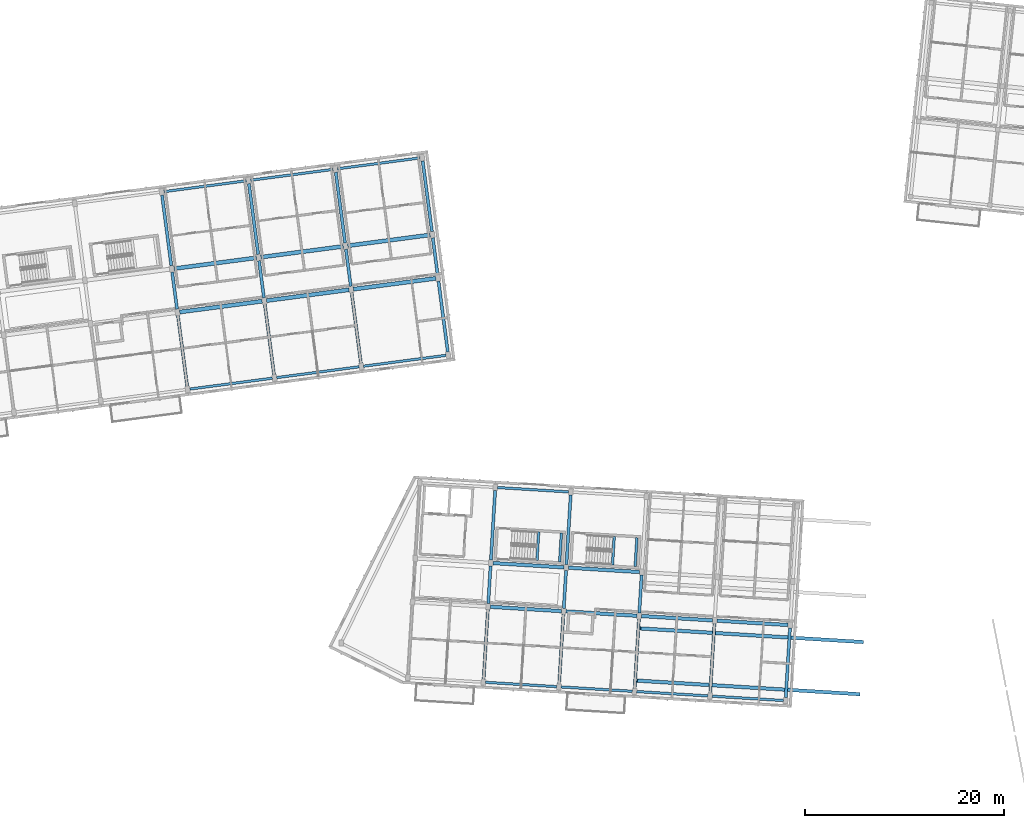
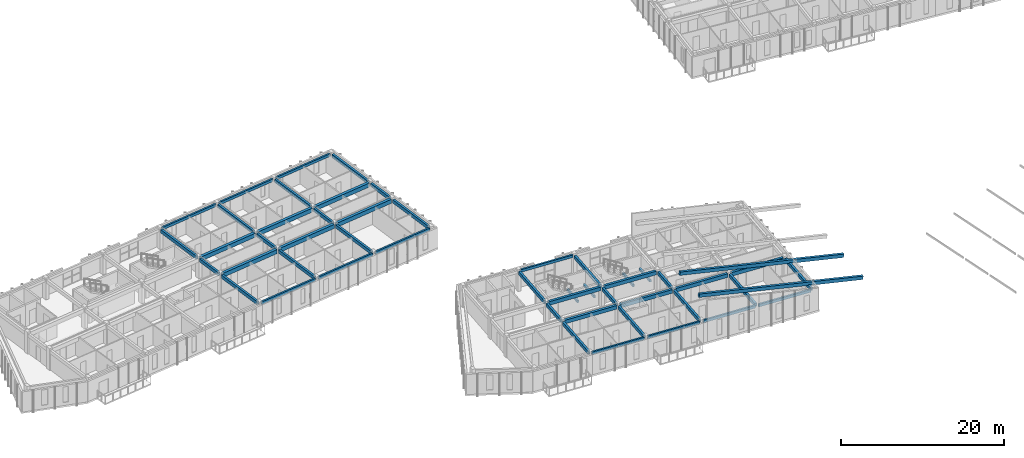
# One storey, part 7 of 56: 51 beams.
"""IFC4 building model written with IfcOpenShell, lengths in metres."""

from ifc_helpers import new_model, si_unit, direction, frame, origin, origin_2d, place, context, subcontext, project, spatial, rectangle, extrude, material, material_profile, profile_set, type_object, element, save


model = new_model("IFC4")

# Units and contexts
model_context = context("Model", 3, precision=1e-05, world=origin(), true_north=direction((0.0, 1.0)))
body_context = subcontext(model_context, "Body", "Model", "MODEL_VIEW")
ifc_project = project(units=[si_unit("LENGTHUNIT", "METRE"), si_unit("AREAUNIT", "SQUARE_METRE"), si_unit("VOLUMEUNIT", "CUBIC_METRE"), si_unit("PLANEANGLEUNIT", "RADIAN"), si_unit("MASSUNIT", "GRAM", prefix="KILO")], contexts=[model_context])

# Site, building, storey
site_placement = place(None, origin())
site = spatial("IfcSite", under=ifc_project, at=site_placement, CompositionType="ELEMENT")
building_placement = place(site_placement, origin())
building = spatial("IfcBuilding", under=site, at=building_placement, Name="Kestramere Prow Commons", CompositionType="ELEMENT")
storey_placement = place(building_placement, frame((0.0, 0.0, 27.89990234375)))
storey = spatial("IfcBuildingStorey", under=building, at=storey_placement, Name="L08", CompositionType="ELEMENT", Elevation=27.89990234375)

# Beams
ifc_material_1 = material(Name="Precast concrete C40/50", Category="concrete")
ifc_material_profile_1 = material_profile(ifc_material_1, rectangle(XDim=0.39990234375, YDim=0.60009765625, at=origin_2d()), Name="PC-BM 400x600")
ifc_profile_set_1 = profile_set([ifc_material_profile_1], Name="Precast concrete C40/50")
beam_type_1 = type_object("IfcBeamType", Name="BM-A1 PC-BM 400x600", PredefinedType="BEAM", material=ifc_profile_set_1)
for number, where, z_axis, x_axis, name in (
    (1, (36.5791015625, 83.20849609375, 2.7001953125), (0.991445635283, 0.13052031366, 0.0), (-0.13052031366, 0.991445635283, 0.0), "Block A L08 Longitudinal Beam 2-4"),
    (2, (45.3037109375, 84.357177734375, 2.7001953125), (0.991445635283, 0.13052031366, 0.0), (-0.13052031366, 0.991445635283, 0.0), "Block A L08 Longitudinal Beam 2-5"),
    (3, (54.028564453125, 85.505859375, 2.7001953125), (0.991445635283, 0.13052031366, 0.0), (-0.13052031366, 0.991445635283, 0.0), "Block A L08 Longitudinal Beam 2-6"),
    (4, (36.0048828125, 87.57080078125, 2.7001953125), (0.991441851318, 0.130549053825, 0.0), (-0.130549053825, 0.991441851318, 0.0), "Block A L08 Longitudinal Beam 3-4"),
    (5, (44.7294921875, 88.719482421875, 2.7001953125), (0.991445635283, 0.13052031366, 0.0), (-0.13052031366, 0.991445635283, 0.0), "Block A L08 Longitudinal Beam 3-5"),
    (6, (53.454345703125, 89.8681640625, 2.7001953125), (0.991445635283, 0.13052031366, 0.0), (-0.13052031366, 0.991445635283, 0.0), "Block A L08 Longitudinal Beam 3-6"),
):
    element("IfcBeam", number, at=place(storey_placement, frame(where, z_axis=z_axis, x_axis=x_axis)), inside=storey, type_object=beam_type_1, Name=name, PredefinedType="BEAM", context=body_context, shape_type="SweptSolid", body=[
        extrude(rectangle(XDim=0.39990234375, YDim=0.60009765625, at=origin_2d()), origin(), (0.0, 0.0, 1.0), 8.35009765625),
    ])
ifc_material_profile_2 = material_profile(ifc_material_1, rectangle(XDim=0.35009765625, YDim=0.550048828125, at=origin_2d()), Name="PC-BM 350x550")
ifc_profile_set_2 = profile_set([ifc_material_profile_2], Name="Precast concrete C40/50")
beam_type_2 = type_object("IfcBeamType", Name="BM-C1 PC-BM 350x550", PredefinedType="BEAM", material=ifc_profile_set_2)
for number, where, z_axis, x_axis, name in (
    (7, (67.7744140625, 53.608154296875, 2.72509765625), (0.998134602239, -0.061051747017, 0.0), (0.061051747017, 0.998134602239, 0.0), "Block C L08 Longitudinal Beam 2-2"),
    (8, (75.360107421875, 53.14404296875, 2.72509765625), (0.998136682403, -0.061017728909, 0.0), (0.061017728909, 0.998136682403, 0.0), "Block C L08 Longitudinal Beam 2-3"),
    (9, (82.946044921875, 52.68017578125, 2.72509765625), (0.998134602239, -0.061051747017, 0.0), (0.061051747017, 0.998134602239, 0.0), "Block C L08 Longitudinal Beam 2-4"),
    (10, (90.53173828125, 52.21630859375, 2.72509765625), (0.998134602239, -0.061051747017, 0.0), (0.061051747017, 0.998134602239, 0.0), "Block C L08 Longitudinal Beam 2-5"),
    (11, (68.04296875, 58.0, 2.72509765625), (0.998134602239, -0.061051747017, 0.0), (0.061051747017, 0.998134602239, 0.0), "Block C L08 Longitudinal Beam 3-2"),
):
    element("IfcBeam", number, at=place(storey_placement, frame(where, z_axis=z_axis, x_axis=x_axis)), inside=storey, type_object=beam_type_2, Name=name, PredefinedType="BEAM", context=body_context, shape_type="SweptSolid", body=[
        extrude(rectangle(XDim=0.35009765625, YDim=0.550048828125, at=origin_2d()), origin(), (0.0, 0.0, 1.0), 7.150146484375),
    ])
beam_1_placement = place(storey_placement, frame((75.62890625, 57.535888671875, 2.72509765625), z_axis=(0.998134474962, -0.061053827828, 0.0), x_axis=(0.061053827828, 0.998134474962, 0.0)))
element("IfcBeam", 12, at=beam_1_placement, inside=storey, type_object=beam_type_2, Name="Block C L08 Longitudinal Beam 3-3", PredefinedType="BEAM", context=body_context, shape_type="SweptSolid", body=[
    extrude(rectangle(XDim=0.35009765625, YDim=0.550048828125, at=origin_2d()), origin(), (0.0, 0.0, 1.0), 7.14990234375),
])
ifc_material_2 = material(Name="Concrete C40/50", Category="concrete")
ifc_material_profile_3 = material_profile(ifc_material_2, rectangle(XDim=0.25, YDim=0.35009765625, at=origin_2d()), Name="PC-BM 250x350")
ifc_profile_set_3 = profile_set([ifc_material_profile_3], Name="Concrete C40/50")
beam_type_3 = type_object("IfcBeamType", Name="BM-ST-TRIM", PredefinedType="BEAM", material=ifc_profile_set_3)
for number, where, z_axis, x_axis, name in (
    (13, (72.462158203125, 58.260498046875, 1.25), (0.061073995712, 0.99813324113, 0.0), (-0.99813324113, 0.061073995712, 0.0), "ST-C1 L08 Landing Trimmer Beam 1A"),
    (14, (74.73779296875, 58.121337890625, 1.25), (0.061073995712, 0.99813324113, 0.0), (-0.99813324113, 0.061073995712, 0.0), "ST-C1 L08 Landing Trimmer Beam 1B"),
):
    element("IfcBeam", number, at=place(storey_placement, frame(where, z_axis=z_axis, x_axis=x_axis)), inside=storey, type_object=beam_type_3, Name=name, PredefinedType="BEAM", context=body_context, shape_type="SweptSolid", body=[
        extrude(rectangle(XDim=0.25, YDim=0.35009765625, at=origin_2d()), origin(), (0.0, 0.0, 1.0), 2.89013671875),
    ])
for number, where, z_axis, x_axis, name in (
    (15, (80.0478515625, 57.796630859375, 1.25), (0.06107914562, 0.998132926003, 0.0), (-0.998132926003, 0.06107914562, 0.0), "ST-C2 L08 Landing Trimmer Beam 1A"),
    (16, (82.32373046875, 57.657470703125, 1.25), (0.06107914562, 0.998132926003, 0.0), (-0.998132926003, 0.06107914562, 0.0), "ST-C2 L08 Landing Trimmer Beam 1B"),
):
    element("IfcBeam", number, at=place(storey_placement, frame(where, z_axis=z_axis, x_axis=x_axis)), inside=storey, type_object=beam_type_3, Name=name, PredefinedType="BEAM", context=body_context, shape_type="SweptSolid", body=[
        extrude(rectangle(XDim=0.25, YDim=0.35009765625, at=origin_2d()), origin(), (0.0, 0.0, 1.0), 2.889892578125),
    ])
ifc_material_profile_4 = material_profile(ifc_material_1, rectangle(XDim=0.300048828125, YDim=0.5, at=origin_2d()), Name="PC-BM 300x500")
ifc_profile_set_4 = profile_set([ifc_material_profile_4], Name="Precast concrete C40/50")
beam_type_4 = type_object("IfcBeamType", Name="BM-TIE-01 PC-BM 300x500", PredefinedType="BEAM", material=ifc_profile_set_4)
beam_2_placement = place(storey_placement, frame((37.331787109375, 75.76806640625, 2.75), z_axis=(-0.130537539388, 0.991443367425, 0.0), x_axis=(-0.991443367425, -0.130537539388, 0.0)))
element("IfcBeam", 17, at=beam_2_placement, inside=storey, type_object=beam_type_4, Name="Block A L08 Transverse Beam 4-1", PredefinedType="BEAM", context=body_context, shape_type="SweptSolid", body=[
    extrude(rectangle(XDim=0.300048828125, YDim=0.5, at=origin_2d()), origin(), (0.0, 0.0, 1.0), 7.150146484375),
])
beam_3_placement = place(storey_placement, frame((36.313720703125, 83.50146484375, 2.75), z_axis=(-0.130538720766, 0.991443211879, 0.0), x_axis=(-0.991443211879, -0.130538720766, 0.0)))
element("IfcBeam", 18, at=beam_3_placement, inside=storey, type_object=beam_type_4, Name="Block A L08 Transverse Beam 4-2", PredefinedType="BEAM", context=body_context, shape_type="SweptSolid", body=[
    extrude(rectangle(XDim=0.300048828125, YDim=0.5, at=origin_2d()), origin(), (0.0, 0.0, 1.0), 3.749755859375),
])
for number, where, z_axis, x_axis, name in (
    (19, (35.7392578125, 87.86376953125, 2.75), (-0.130503975686, 0.991447785983, 0.0), (-0.991447785983, -0.130503975686, 0.0), "Block A L08 Transverse Beam 4-3"),
    (20, (46.056396484375, 76.916748046875, 2.75), (-0.130503975686, 0.991447785983, 0.0), (-0.991447785983, -0.130503975686, 0.0), "Block A L08 Transverse Beam 5-1"),
):
    element("IfcBeam", number, at=place(storey_placement, frame(where, z_axis=z_axis, x_axis=x_axis)), inside=storey, type_object=beam_type_4, Name=name, PredefinedType="BEAM", context=body_context, shape_type="SweptSolid", body=[
        extrude(rectangle(XDim=0.300048828125, YDim=0.5, at=origin_2d()), origin(), (0.0, 0.0, 1.0), 7.14990234375),
    ])
beam_4_placement = place(storey_placement, frame((45.038330078125, 84.64990234375, 2.75), z_axis=(-0.130530295097, 0.991444321211, 0.0), x_axis=(-0.991444321211, -0.130530295097, 0.0)))
element("IfcBeam", 21, at=beam_4_placement, inside=storey, type_object=beam_type_4, Name="Block A L08 Transverse Beam 5-2", PredefinedType="BEAM", context=body_context, shape_type="SweptSolid", body=[
    extrude(rectangle(XDim=0.300048828125, YDim=0.5, at=origin_2d()), origin(), (0.0, 0.0, 1.0), 3.75),
])
for number, where, z_axis, x_axis, name in (
    (22, (44.464111328125, 89.012451171875, 2.75), (-0.130537539388, 0.991443367425, 0.0), (-0.991443367425, -0.130537539388, 0.0), "Block A L08 Transverse Beam 5-3"),
    (23, (54.78125, 78.0654296875, 2.75), (-0.130537539388, 0.991443367425, 0.0), (-0.991443367425, -0.130537539388, 0.0), "Block A L08 Transverse Beam 6-1"),
):
    element("IfcBeam", number, at=place(storey_placement, frame(where, z_axis=z_axis, x_axis=x_axis)), inside=storey, type_object=beam_type_4, Name=name, PredefinedType="BEAM", context=body_context, shape_type="SweptSolid", body=[
        extrude(rectangle(XDim=0.300048828125, YDim=0.5, at=origin_2d()), origin(), (0.0, 0.0, 1.0), 7.150146484375),
    ])
beam_5_placement = place(storey_placement, frame((53.762939453125, 85.798583984375, 2.75), z_axis=(-0.130466301114, 0.991452744347, 0.0), x_axis=(-0.991452744347, -0.130466301114, 0.0)))
element("IfcBeam", 24, at=beam_5_placement, inside=storey, type_object=beam_type_4, Name="Block A L08 Transverse Beam 6-2", PredefinedType="BEAM", context=body_context, shape_type="SweptSolid", body=[
    extrude(rectangle(XDim=0.300048828125, YDim=0.5, at=origin_2d()), origin(), (0.0, 0.0, 1.0), 3.75),
])
beam_6_placement = place(storey_placement, frame((53.188720703125, 90.160888671875, 2.75), z_axis=(-0.130537539388, 0.991443367425, 0.0), x_axis=(-0.991443367425, -0.130537539388, 0.0)))
element("IfcBeam", 25, at=beam_6_placement, inside=storey, type_object=beam_type_4, Name="Block A L08 Transverse Beam 6-3", PredefinedType="BEAM", context=body_context, shape_type="SweptSolid", body=[
    extrude(rectangle(XDim=0.300048828125, YDim=0.5, at=origin_2d()), origin(), (0.0, 0.0, 1.0), 7.150146484375),
])
beam_7_placement = place(storey_placement, frame((63.505859375, 79.214111328125, 2.75), z_axis=(-0.130541958643, 0.991442785557, 0.0), x_axis=(-0.991442785557, -0.130541958643, 0.0)))
element("IfcBeam", 26, at=beam_7_placement, inside=storey, type_object=beam_type_4, Name="Block A L08 Transverse Beam 7-1", PredefinedType="BEAM", context=body_context, shape_type="SweptSolid", body=[
    extrude(rectangle(XDim=0.300048828125, YDim=0.5, at=origin_2d()), origin(), (0.0, 0.0, 1.0), 7.14990234375),
])
beam_8_placement = place(storey_placement, frame((62.48779296875, 86.947265625, 2.75), z_axis=(-0.130530295097, 0.991444321211, 0.0), x_axis=(-0.991444321211, -0.130530295097, 0.0)))
element("IfcBeam", 27, at=beam_8_placement, inside=storey, type_object=beam_type_4, Name="Block A L08 Transverse Beam 7-2", PredefinedType="BEAM", context=body_context, shape_type="SweptSolid", body=[
    extrude(rectangle(XDim=0.300048828125, YDim=0.5, at=origin_2d()), origin(), (0.0, 0.0, 1.0), 3.75),
])
beam_9_placement = place(storey_placement, frame((61.913330078125, 91.3095703125, 2.75), z_axis=(-0.130503975686, 0.991447785983, 0.0), x_axis=(-0.991447785983, -0.130503975686, 0.0)))
element("IfcBeam", 28, at=beam_9_placement, inside=storey, type_object=beam_type_4, Name="Block A L08 Transverse Beam 7-3", PredefinedType="BEAM", context=body_context, shape_type="SweptSolid", body=[
    extrude(rectangle(XDim=0.300048828125, YDim=0.5, at=origin_2d()), origin(), (0.0, 0.0, 1.0), 7.14990234375),
])
beam_10_placement = place(storey_placement, frame((67.104248046875, 46.33544921875, 2.75), z_axis=(0.061034188237, 0.998135676081, 0.0), x_axis=(-0.998135676081, 0.061034188237, 0.0)))
element("IfcBeam", 29, at=beam_10_placement, inside=storey, type_object=beam_type_4, Name="Block C L08 Transverse Beam 2-1", PredefinedType="BEAM", context=body_context, shape_type="SweptSolid", body=[
    extrude(rectangle(XDim=0.300048828125, YDim=0.5, at=origin_2d()), origin(), (0.0, 0.0, 1.0), 7.0),
])
beam_11_placement = place(storey_placement, frame((67.568115234375, 53.92138671875, 2.75), z_axis=(0.061038214251, 0.99813542989, 0.0), x_axis=(-0.99813542989, 0.061038214251, 0.0)))
element("IfcBeam", 30, at=beam_11_placement, inside=storey, type_object=beam_type_4, Name="Block C L08 Transverse Beam 2-2", PredefinedType="BEAM", context=body_context, shape_type="SweptSolid", body=[
    extrude(rectangle(XDim=0.300048828125, YDim=0.5, at=origin_2d()), origin(), (0.0, 0.0, 1.0), 3.7998046875),
])
beam_12_placement = place(storey_placement, frame((67.836669921875, 58.31298828125, 2.75), z_axis=(0.061068934883, 0.99813355078, 0.0), x_axis=(-0.99813355078, 0.061068934883, 0.0)))
element("IfcBeam", 31, at=beam_12_placement, inside=storey, type_object=beam_type_4, Name="Block C L08 Transverse Beam 2-3", PredefinedType="BEAM", context=body_context, shape_type="SweptSolid", body=[
    extrude(rectangle(XDim=0.300048828125, YDim=0.5, at=origin_2d()), origin(), (0.0, 0.0, 1.0), 7.000244140625),
])
beam_13_placement = place(storey_placement, frame((74.68994140625, 45.87158203125, 2.75), z_axis=(0.061036313012, 0.998135546153, 0.0), x_axis=(-0.998135546153, 0.061036313012, 0.0)))
element("IfcBeam", 32, at=beam_13_placement, inside=storey, type_object=beam_type_4, Name="Block C L08 Transverse Beam 3-1", PredefinedType="BEAM", context=body_context, shape_type="SweptSolid", body=[
    extrude(rectangle(XDim=0.300048828125, YDim=0.5, at=origin_2d()), origin(), (0.0, 0.0, 1.0), 6.999755859375),
])
beam_14_placement = place(storey_placement, frame((75.154052734375, 53.457275390625, 2.75), z_axis=(0.061034300063, 0.998135669243, 0.0), x_axis=(-0.998135669243, 0.061034300063, 0.0)))
element("IfcBeam", 33, at=beam_14_placement, inside=storey, type_object=beam_type_4, Name="Block C L08 Transverse Beam 3-2", PredefinedType="BEAM", context=body_context, shape_type="SweptSolid", body=[
    extrude(rectangle(XDim=0.300048828125, YDim=0.5, at=origin_2d()), origin(), (0.0, 0.0, 1.0), 3.800048828125),
])
for number, where, z_axis, x_axis, name in (
    (34, (75.422607421875, 57.84912109375, 2.75), (0.061034188237, 0.998135676081, 0.0), (-0.998135676081, 0.061034188237, 0.0), "Block C L08 Transverse Beam 3-3"),
    (35, (82.27587890625, 45.407470703125, 2.75), (0.061034188237, 0.998135676081, 0.0), (-0.998135676081, 0.061034188237, 0.0), "Block C L08 Transverse Beam 4-1"),
):
    element("IfcBeam", number, at=place(storey_placement, frame(where, z_axis=z_axis, x_axis=x_axis)), inside=storey, type_object=beam_type_4, Name=name, PredefinedType="BEAM", context=body_context, shape_type="SweptSolid", body=[
        extrude(rectangle(XDim=0.300048828125, YDim=0.5, at=origin_2d()), origin(), (0.0, 0.0, 1.0), 7.0),
    ])
beam_15_placement = place(storey_placement, frame((82.73974609375, 52.993408203125, 2.75), z_axis=(0.061034300063, 0.998135669243, 0.0), x_axis=(-0.998135669243, 0.061034300063, 0.0)))
element("IfcBeam", 36, at=beam_15_placement, inside=storey, type_object=beam_type_4, Name="Block C L08 Transverse Beam 4-2", PredefinedType="BEAM", context=body_context, shape_type="SweptSolid", body=[
    extrude(rectangle(XDim=0.300048828125, YDim=0.5, at=origin_2d()), origin(), (0.0, 0.0, 1.0), 3.800048828125),
])
for number, where, z_axis, x_axis, name in (
    (37, (89.861572265625, 44.943603515625, 2.75), (0.061071060859, 0.998133420704, 0.0), (-0.998133420704, 0.061071060859, 0.0), "Block C L08 Transverse Beam 5-1"),
    (38, (97.447509765625, 44.4794921875, 2.75), (0.061034188237, 0.998135676081, 0.0), (-0.998135676081, 0.061034188237, 0.0), "Block C L08 Transverse Beam 6-1"),
):
    element("IfcBeam", number, at=place(storey_placement, frame(where, z_axis=z_axis, x_axis=x_axis)), inside=storey, type_object=beam_type_4, Name=name, PredefinedType="BEAM", context=body_context, shape_type="SweptSolid", body=[
        extrude(rectangle(XDim=0.300048828125, YDim=0.5, at=origin_2d()), origin(), (0.0, 0.0, 1.0), 7.0),
    ])
ifc_material_profile_5 = material_profile(ifc_material_1, rectangle(XDim=0.35009765625, YDim=0.5, at=origin_2d()), Name="PC-RB 350x500")
ifc_profile_set_5 = profile_set([ifc_material_profile_5], Name="Precast concrete C40/50")
beam_type_5 = type_object("IfcBeamType", Name="RB-PR-02 PC-RB 350x500", PredefinedType="BEAM", material=ifc_profile_set_5)
for number, where, z_axis, x_axis, name in (
    (39, (82.5341796875, 46.193115234375, 6.00830078125), (0.980148488451, -0.059945692161, -0.188985329004), (0.061045741869, 0.998134969531, 0.0), "Block C Lower Prow Raking Rafter 1"),
    (40, (82.854736328125, 51.433349609375, 6.00830078125), (0.980148488451, -0.059945692161, -0.188985329004), (0.061045741869, 0.998134969531, 0.0), "Block C Lower Prow Raking Rafter 2"),
):
    element("IfcBeam", number, at=place(storey_placement, frame(where, z_axis=z_axis, x_axis=x_axis)), inside=storey, type_object=beam_type_5, Name=name, PredefinedType="BEAM", context=body_context, shape_type="SweptSolid", body=[
        extrude(rectangle(XDim=0.35009765625, YDim=0.5, at=origin_2d()), origin(), (0.0, 0.0, 1.0), 22.790771484375),
    ])
ifc_material_profile_6 = material_profile(ifc_material_1, rectangle(XDim=0.25, YDim=0.39990234375, at=origin_2d()), Name="PC-SP 250x400")
ifc_profile_set_6 = profile_set([ifc_material_profile_6], Name="Precast concrete C40/50")
beam_type_6 = type_object("IfcBeamType", Name="SP-EXT-01 PC-SP 250x400", PredefinedType="SPANDREL", material=ifc_profile_set_6)
for number, where, z_axis, x_axis, name in (
    (41, (37.59716796875, 75.475341796875, 2.800048828125), (0.991445635283, 0.13052031366, 0.0), (-0.13052031366, 0.991445635283, 0.0), "Block A L08 Longitudinal Beam 1-4"),
    (42, (46.322021484375, 76.623779296875, 2.800048828125), (0.991441851318, 0.130549053825, 0.0), (-0.130549053825, 0.991441851318, 0.0), "Block A L08 Longitudinal Beam 1-5"),
    (43, (55.046630859375, 77.7724609375, 2.800048828125), (0.991445635283, 0.13052031366, 0.0), (-0.13052031366, 0.991445635283, 0.0), "Block A L08 Longitudinal Beam 1-6"),
    (44, (34.98681640625, 95.30419921875, 2.800048828125), (0.991445635283, 0.13052031366, 0.0), (-0.13052031366, 0.991445635283, 0.0), "Block A L08 Longitudinal Beam 4-4"),
    (45, (43.71142578125, 96.452880859375, 2.800048828125), (0.991445635283, 0.13052031366, 0.0), (-0.13052031366, 0.991445635283, 0.0), "Block A L08 Longitudinal Beam 4-5"),
    (46, (52.43603515625, 97.601318359375, 2.800048828125), (0.991441851318, 0.130549053825, 0.0), (-0.130549053825, 0.991441851318, 0.0), "Block A L08 Longitudinal Beam 4-6"),
):
    element("IfcBeam", number, at=place(storey_placement, frame(where, z_axis=z_axis, x_axis=x_axis)), inside=storey, type_object=beam_type_6, Name=name, PredefinedType="SPANDREL", context=body_context, shape_type="SweptSolid", body=[
        extrude(rectangle(XDim=0.25, YDim=0.39990234375, at=origin_2d()), origin(), (0.0, 0.0, 1.0), 8.35009765625),
    ])
for number, where, z_axis, x_axis, name in (
    (47, (67.310302734375, 46.022216796875, 2.800048828125), (0.998134602239, -0.061051747017, 0.0), (0.061051747017, 0.998134602239, 0.0), "Block C L08 Longitudinal Beam 1-2"),
    (48, (74.896240234375, 45.558349609375, 2.800048828125), (0.998134602239, -0.061051747017, 0.0), (0.061051747017, 0.998134602239, 0.0), "Block C L08 Longitudinal Beam 1-3"),
    (49, (82.48193359375, 45.09423828125, 2.800048828125), (0.998136682403, -0.061017728909, 0.0), (0.061017728909, 0.998136682403, 0.0), "Block C L08 Longitudinal Beam 1-4"),
    (50, (90.06787109375, 44.63037109375, 2.800048828125), (0.998134602239, -0.061051747017, 0.0), (0.061051747017, 0.998134602239, 0.0), "Block C L08 Longitudinal Beam 1-5"),
    (51, (68.5068359375, 65.585693359375, 2.800048828125), (0.998134602239, -0.061051747017, 0.0), (0.061051747017, 0.998134602239, 0.0), "Block C L08 Longitudinal Beam 4-2"),
):
    element("IfcBeam", number, at=place(storey_placement, frame(where, z_axis=z_axis, x_axis=x_axis)), inside=storey, type_object=beam_type_6, Name=name, PredefinedType="SPANDREL", context=body_context, shape_type="SweptSolid", body=[
        extrude(rectangle(XDim=0.25, YDim=0.39990234375, at=origin_2d()), origin(), (0.0, 0.0, 1.0), 7.150146484375),
    ])

save(model, "model.ifc")
